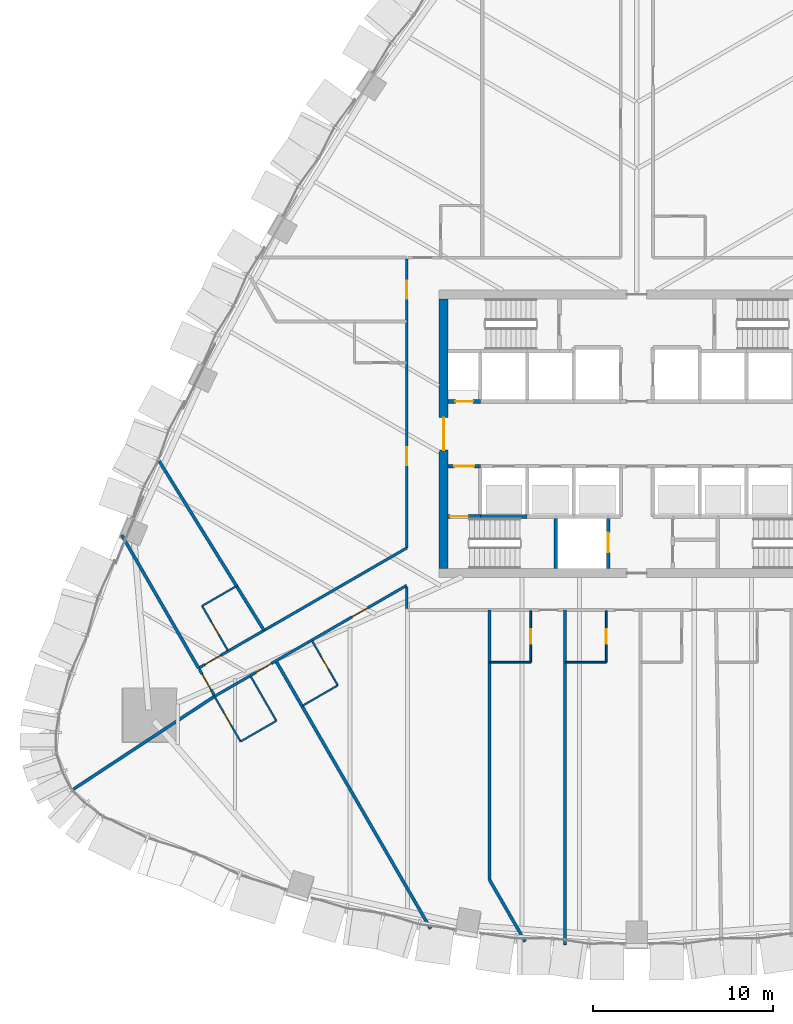
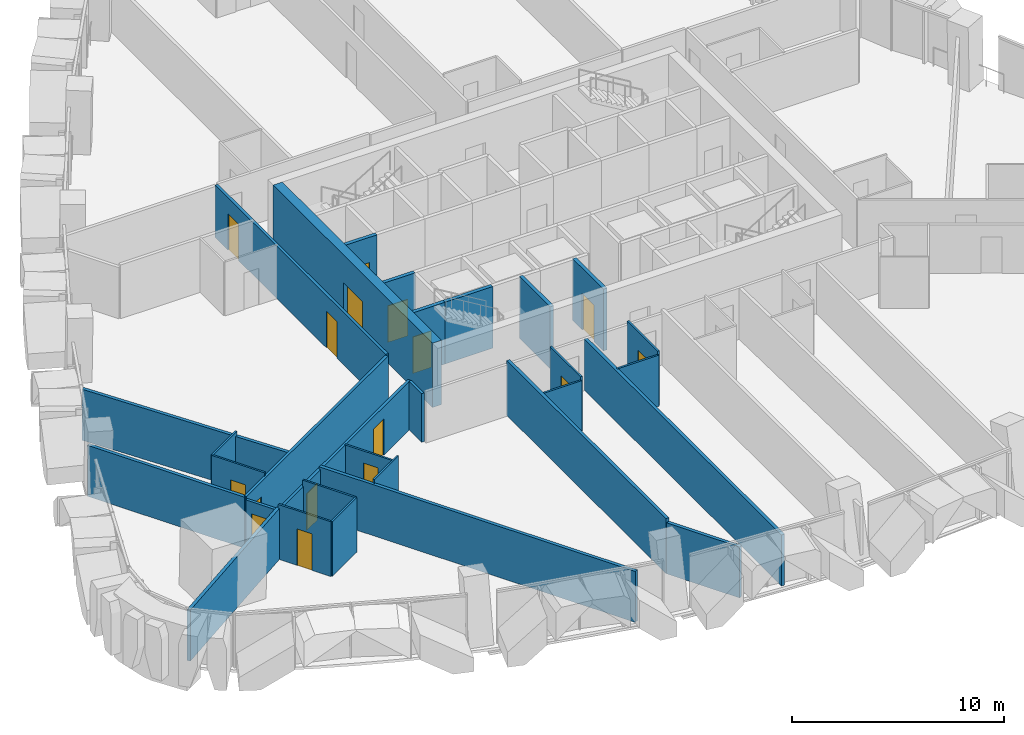
# One storey, part 14 of 23: 30 walls, 16 doors, 16 openings.
"""IFC4 building model written with IfcOpenShell, lengths in metres."""

from ifc_helpers import new_model, si_unit, direction, frame, frame_2d, origin, place, context, subcontext, project, spatial, rectangle, extrude, material, layer, layer_set, type_object, element, fill, save


model = new_model("IFC4")

# Units and contexts
model_context = context("Model", 3, precision=1e-05, world=origin(), true_north=direction((0.0, 1.0)))
body_context = subcontext(model_context, "Body", "Model", "MODEL_VIEW")
ifc_project = project(units=[si_unit("LENGTHUNIT", "METRE"), si_unit("AREAUNIT", "SQUARE_METRE"), si_unit("VOLUMEUNIT", "CUBIC_METRE"), si_unit("PLANEANGLEUNIT", "RADIAN"), si_unit("MASSUNIT", "GRAM", prefix="KILO")], contexts=[model_context])

# Site, building, storey
site_placement = place(None, origin())
site = spatial("IfcSite", under=ifc_project, at=site_placement, CompositionType="ELEMENT")
building_placement = place(site_placement, origin())
building = spatial("IfcBuilding", under=site, at=building_placement, Name="Sierra Prisma Convention Tower", CompositionType="ELEMENT")
storey_placement = place(building_placement, frame((0.0, 0.0, 51.699951171875)))
storey = spatial("IfcBuildingStorey", under=building, at=storey_placement, Name="L08", CompositionType="ELEMENT", Elevation=51.699951171875)

# Walls
ifc_material_1 = material(Name="Gypsum board partition", Category="gypsum")
ifc_layer_1 = layer(ifc_material_1, 0.10009765625)
ifc_layer_set_1 = layer_set([ifc_layer_1], Name="Bathroom partition 100")
wall_type_1 = type_object("IfcWallType", Name="Bathroom partition 100", PredefinedType="PARTITIONING", material=ifc_layer_set_1)
wall_1_placement = place(storey_placement, frame((-21.484619140625, -13.47802734375, 0.0), z_axis=(0.0, 0.0, 1.0), x_axis=(0.499936001555, -0.866062350151, 0.0)))
element("IfcWall", 1, at=wall_1_placement, inside=storey, type_object=wall_type_1, Name="Partition L08 bath 1", PredefinedType="PARTITIONING", context=body_context, shape_type="SweptSolid", body=[
    extrude(rectangle(XDim=2.8701171875, YDim=0.10009765625, at=frame_2d((1.43505859375, 0.0))), origin(), (0.0, 0.0, 1.0), 3.150146484375),
])
wall_2_placement = place(storey_placement, frame((-20.0498046875, -15.963623046875, 0.0), z_axis=(0.0, 0.0, 1.0), x_axis=(-0.86602648383, -0.499998129301, 0.0)))
element("IfcWall", 2, at=wall_2_placement, inside=storey, type_object=wall_type_1, Name="Partition L08 bath 2", PredefinedType="PARTITIONING", context=body_context, shape_type="SweptSolid", body=[
    extrude(rectangle(XDim=2.2998046875, YDim=0.10009765625, at=frame_2d((1.14990234375, 0.0))), origin(), (0.0, 0.0, 1.0), 3.150146484375),
])

# Wall, opening, door
wall_3_placement = place(storey_placement, frame((-22.04150390625, -17.113525390625, 0.0), z_axis=(0.0, 0.0, 1.0), x_axis=(-0.500036638401, 0.866004249561, 0.0)))
wall_3 = element("IfcWall", 3, at=wall_3_placement, inside=storey, type_object=wall_type_1, Name="Partition L08 bath 3", PredefinedType="PARTITIONING", context=body_context, shape_type="SweptSolid", body=[
    extrude(rectangle(XDim=2.869873046875, YDim=0.10009765625, at=frame_2d((1.43505859375, 0.0))), origin(), (0.0, 0.0, 1.0), 3.150146484375),
])
opening_1_placement = place(wall_3_placement, frame((1.034912109375, 0.0, 0.0)))
opening_1 = element("IfcOpeningElement", 4, at=opening_1_placement, cuts=wall_3, Name="Opening L08-D008", PredefinedType="OPENING", context=body_context, shape_type="SweptSolid", body=[
    extrude(rectangle(XDim=0.800048828125, YDim=2.10009765625, at=frame_2d((0.39990234375, 1.050048828125))), frame((0.0, 0.050048828125, 0.0), z_axis=(0.0, -1.0, 0.0), x_axis=(1.0, 0.0, 0.0)), (0.0, 0.0, 1.0), 0.10009765625),
])
ifc_material_2 = material(Name="Solid core timber door leaf", Category="wood")
door_type_1 = type_object("IfcDoorType", Name="Door 800x2100 plain", OperationType="SINGLE_SWING_LEFT", PredefinedType="DOOR", material=ifc_material_2)
door_1_placement = place(opening_1_placement, origin())
door_1 = element("IfcDoor", 5, at=door_1_placement, inside=storey, type_object=door_type_1, Name="Door L08 19", OperationType="SINGLE_SWING_LEFT", OverallHeight=2.10009765625, OverallWidth=0.800048828125, PredefinedType="DOOR", context=body_context, shape_type="SweptSolid", body=[
    extrude(rectangle(XDim=0.800048828125, YDim=2.10009765625, at=frame_2d((0.39990234375, 1.050048828125))), frame((0.0, 0.02490234375, 0.0), z_axis=(0.0, -1.0, 0.0), x_axis=(1.0, 0.0, 0.0)), (0.0, 0.0, 1.0), 0.050048828125),
])
fill(opening_1, door_1)

wall_4_placement = place(storey_placement, frame((-22.743896484375, -12.057373046875, 0.0), z_axis=(0.0, 0.0, 1.0), x_axis=(-0.499936001555, 0.866062350151, 0.0)))
wall_4 = element("IfcWall", 6, at=wall_4_placement, inside=storey, type_object=wall_type_1, Name="Partition L08 bath 4", PredefinedType="PARTITIONING", context=body_context, shape_type="SweptSolid", body=[
    extrude(rectangle(XDim=2.8701171875, YDim=0.10009765625, at=frame_2d((1.43505859375, 0.0))), origin(), (0.0, 0.0, 1.0), 3.150146484375),
])
opening_2_placement = place(wall_4_placement, frame((1.034912109375, 0.0, 0.0)))
opening_2 = element("IfcOpeningElement", 7, at=opening_2_placement, cuts=wall_4, Name="Opening L08-D007", PredefinedType="OPENING", context=body_context, shape_type="SweptSolid", body=[
    extrude(rectangle(XDim=0.800048828125, YDim=2.10009765625, at=frame_2d((0.39990234375, 1.050048828125))), frame((0.0, 0.050048828125, 0.0), z_axis=(0.0, -1.0, 0.0), x_axis=(1.0, 0.0, 0.0)), (0.0, 0.0, 1.0), 0.10009765625),
])
door_2_placement = place(opening_2_placement, origin())
door_2 = element("IfcDoor", 8, at=door_2_placement, inside=storey, type_object=door_type_1, Name="Door L08 16", OperationType="SINGLE_SWING_RIGHT", OverallHeight=2.10009765625, OverallWidth=0.800048828125, PredefinedType="DOOR", context=body_context, shape_type="SweptSolid", body=[
    extrude(rectangle(XDim=0.800048828125, YDim=2.10009765625, at=frame_2d((0.39990234375, 1.050048828125))), frame((0.0, 0.02490234375, 0.0), z_axis=(0.0, -1.0, 0.0), x_axis=(1.0, 0.0, 0.0)), (0.0, 0.0, 1.0), 0.050048828125),
])
fill(opening_2, door_2)

# Wall
wall_5_placement = place(storey_placement, frame((-24.1787109375, -9.57177734375, 0.0), z_axis=(0.0, 0.0, 1.0), x_axis=(0.866017224141, 0.500014167291, 0.0)))
element("IfcWall", 9, at=wall_5_placement, inside=storey, type_object=wall_type_1, Name="Partition L08 bath 5", PredefinedType="PARTITIONING", context=body_context, shape_type="SweptSolid", body=[
    extrude(rectangle(XDim=2.27001953125, YDim=0.10009765625, at=frame_2d((1.135009765625, 0.0))), origin(), (0.0, 0.0, 1.0), 3.150146484375),
])

# Wall, opening, door
wall_6_placement = place(storey_placement, frame((-18.06787109375, -11.50537109375, 0.0), z_axis=(0.0, 0.0, 1.0), x_axis=(0.500036638401, -0.866004249561, 0.0)))
wall_6 = element("IfcWall", 10, at=wall_6_placement, inside=storey, type_object=wall_type_1, Name="Partition L08 bath 6", PredefinedType="PARTITIONING", context=body_context, shape_type="SweptSolid", body=[
    extrude(rectangle(XDim=2.869873046875, YDim=0.10009765625, at=frame_2d((1.43505859375, 0.0))), origin(), (0.0, 0.0, 1.0), 2.797119140625),
])
opening_3_placement = place(wall_6_placement, frame((1.034912109375, 0.0, 0.0)))
opening_3 = element("IfcOpeningElement", 11, at=opening_3_placement, cuts=wall_6, Name="Opening L08-D009", PredefinedType="OPENING", context=body_context, shape_type="SweptSolid", body=[
    extrude(rectangle(XDim=0.800048828125, YDim=2.10009765625, at=frame_2d((0.39990234375, 1.050048828125))), frame((0.0, 0.050048828125, 0.0), z_axis=(0.0, -1.0, 0.0), x_axis=(1.0, 0.0, 0.0)), (0.0, 0.0, 1.0), 0.10009765625),
])
door_3_placement = place(opening_3_placement, origin())
door_3 = element("IfcDoor", 12, at=door_3_placement, inside=storey, type_object=door_type_1, Name="Door L08 21", OperationType="SINGLE_SWING_RIGHT", OverallHeight=2.10009765625, OverallWidth=0.800048828125, PredefinedType="DOOR", context=body_context, shape_type="SweptSolid", body=[
    extrude(rectangle(XDim=0.800048828125, YDim=2.10009765625, at=frame_2d((0.39990234375, 1.050048828125))), frame((0.0, 0.02490234375, 0.0), z_axis=(0.0, -1.0, 0.0), x_axis=(1.0, 0.0, 0.0)), (0.0, 0.0, 1.0), 0.050048828125),
])
fill(opening_3, door_3)

# Wall
wall_7_placement = place(storey_placement, frame((-16.6328125, -13.99072265625, 0.0), z_axis=(0.0, 0.0, 1.0), x_axis=(-0.866017224141, -0.500014167291, 0.0)))
element("IfcWall", 13, at=wall_7_placement, inside=storey, type_object=wall_type_1, Name="Partition L08 bath 7", PredefinedType="PARTITIONING", context=body_context, shape_type="SweptSolid", body=[
    extrude(rectangle(XDim=2.27001953125, YDim=0.10009765625, at=frame_2d((1.135009765625, 0.0))), origin(), (0.0, 0.0, 1.0), 3.150146484375),
])

# Wall, opening, door
wall_8_placement = place(storey_placement, frame((-5.89990234375, -9.830078125, 0.0), z_axis=(0.0, 0.0, 1.0), x_axis=(0.0, -1.0, 0.0)))
wall_8 = element("IfcWall", 14, at=wall_8_placement, inside=storey, type_object=wall_type_1, Name="Partition L08 bath 12", PredefinedType="PARTITIONING", context=body_context, shape_type="SweptSolid", body=[
    extrude(rectangle(XDim=2.869873046875, YDim=0.10009765625, at=frame_2d((1.43505859375, 0.0))), origin(), (0.0, 0.0, 1.0), 3.150146484375),
])
opening_4_placement = place(wall_8_placement, frame((1.034912109375, 0.0, 0.0)))
opening_4 = element("IfcOpeningElement", 15, at=opening_4_placement, cuts=wall_8, Name="Opening L08-D010", PredefinedType="OPENING", context=body_context, shape_type="SweptSolid", body=[
    extrude(rectangle(XDim=0.800048828125, YDim=2.10009765625, at=frame_2d((0.39990234375, 1.050048828125))), frame((0.0, 0.050048828125, 0.0), z_axis=(0.0, -1.0, 0.0), x_axis=(1.0, 0.0, 0.0)), (0.0, 0.0, 1.0), 0.10009765625),
])
door_4_placement = place(opening_4_placement, origin())
door_4 = element("IfcDoor", 16, at=door_4_placement, inside=storey, type_object=door_type_1, Name="Door L08 23", OperationType="SINGLE_SWING_LEFT", OverallHeight=2.10009765625, OverallWidth=0.800048828125, PredefinedType="DOOR", context=body_context, shape_type="SweptSolid", body=[
    extrude(rectangle(XDim=0.800048828125, YDim=2.10009765625, at=frame_2d((0.39990234375, 1.050048828125))), frame((0.0, 0.02490234375, 0.0), z_axis=(0.0, -1.0, 0.0), x_axis=(1.0, 0.0, 0.0)), (0.0, 0.0, 1.0), 0.050048828125),
])
fill(opening_4, door_4)

# Wall
wall_9_placement = place(storey_placement, frame((-5.89990234375, -12.699951171875, 0.0), z_axis=(0.0, 0.0, 1.0), x_axis=(-1.0, 0.0, 0.0)))
element("IfcWall", 17, at=wall_9_placement, inside=storey, type_object=wall_type_1, Name="Partition L08 bath 13", PredefinedType="PARTITIONING", context=body_context, shape_type="SweptSolid", body=[
    extrude(rectangle(XDim=2.27001953125, YDim=0.10009765625, at=frame_2d((1.135009765625, 0.0))), origin(), (0.0, 0.0, 1.0), 2.947021484375),
])

# Wall, opening, door
wall_10_placement = place(storey_placement, frame((-1.699951171875, -9.830078125, 0.0), z_axis=(0.0, 0.0, 1.0), x_axis=(0.0, -1.0, 0.0)))
wall_10 = element("IfcWall", 18, at=wall_10_placement, inside=storey, type_object=wall_type_1, Name="Partition L08 bath 14", PredefinedType="PARTITIONING", context=body_context, shape_type="SweptSolid", body=[
    extrude(rectangle(XDim=2.869873046875, YDim=0.10009765625, at=frame_2d((1.43505859375, 0.0))), origin(), (0.0, 0.0, 1.0), 3.150146484375),
])
opening_5_placement = place(wall_10_placement, frame((1.034912109375, 0.0, 0.0)))
opening_5 = element("IfcOpeningElement", 19, at=opening_5_placement, cuts=wall_10, Name="Opening L08-D011", PredefinedType="OPENING", context=body_context, shape_type="SweptSolid", body=[
    extrude(rectangle(XDim=0.800048828125, YDim=2.10009765625, at=frame_2d((0.39990234375, 1.050048828125))), frame((0.0, 0.050048828125, 0.0), z_axis=(0.0, -1.0, 0.0), x_axis=(1.0, 0.0, 0.0)), (0.0, 0.0, 1.0), 0.10009765625),
])
door_5_placement = place(opening_5_placement, origin())
door_5 = element("IfcDoor", 20, at=door_5_placement, inside=storey, type_object=door_type_1, Name="Door L08 25", OperationType="SINGLE_SWING_LEFT", OverallHeight=2.10009765625, OverallWidth=0.800048828125, PredefinedType="DOOR", context=body_context, shape_type="SweptSolid", body=[
    extrude(rectangle(XDim=0.800048828125, YDim=2.10009765625, at=frame_2d((0.39990234375, 1.050048828125))), frame((0.0, 0.02490234375, 0.0), z_axis=(0.0, -1.0, 0.0), x_axis=(1.0, 0.0, 0.0)), (0.0, 0.0, 1.0), 0.050048828125),
])
fill(opening_5, door_5)

# Wall
wall_11_placement = place(storey_placement, frame((-1.699951171875, -12.699951171875, 0.0), z_axis=(0.0, 0.0, 1.0), x_axis=(-1.0, 0.0, 0.0)))
element("IfcWall", 21, at=wall_11_placement, inside=storey, type_object=wall_type_1, Name="Partition L08 bath 15", PredefinedType="PARTITIONING", context=body_context, shape_type="SweptSolid", body=[
    extrude(rectangle(XDim=2.27001953125, YDim=0.10009765625, at=frame_2d((1.135009765625, 0.0))), origin(), (0.0, 0.0, 1.0), 2.947021484375),
])

# Wall, opening, door
ifc_material_3 = material(Name="Concrete C30/37", Category="concrete")
ifc_layer_2 = layer(ifc_material_3, 0.199951171875)
ifc_layer_set_2 = layer_set([ifc_layer_2], Name="Core wall RC 200 C30/37")
wall_type_2 = type_object("IfcWallType", Name="Core wall RC 200 C30/37", PredefinedType="SOLIDWALL", material=ifc_layer_set_2)
wall_12_placement = place(storey_placement, frame((-10.5, -4.60009765625, 0.0), z_axis=(0.0, 0.0, 1.0), x_axis=(1.0, 0.0, 0.0)))
wall_12 = element("IfcWall", 22, at=wall_12_placement, inside=storey, type_object=wall_type_2, Name="Core wall L08 1", PredefinedType="SOLIDWALL", context=body_context, shape_type="SweptSolid", body=[
    extrude(rectangle(XDim=1.800048828125, YDim=0.199951171875, at=frame_2d((0.89990234375, 0.0))), origin(), (0.0, 0.0, 1.0), 3.550048828125),
])
opening_6_placement = place(wall_12_placement, frame((0.10009765625, 0.0, 0.0)))
opening_6 = element("IfcOpeningElement", 23, at=opening_6_placement, cuts=wall_12, Name="Opening L08-D033", PredefinedType="OPENING", context=body_context, shape_type="SweptSolid", body=[
    extrude(rectangle(XDim=1.0, YDim=2.10009765625, at=frame_2d((0.5, 1.050048828125))), frame((0.0, 0.10009765625, 0.0), z_axis=(0.0, -1.0, 0.0), x_axis=(1.0, 0.0, 0.0)), (0.0, 0.0, 1.0), 0.199951171875),
])
ifc_material_4 = material(Name="Steel fire door leaf", Category="steel")
door_type_2 = type_object("IfcDoorType", Name="Door 1000x2100 FD90S", OperationType="SINGLE_SWING_LEFT", PredefinedType="DOOR", material=ifc_material_4)
door_6_placement = place(opening_6_placement, origin())
door_6 = element("IfcDoor", 24, at=door_6_placement, inside=storey, type_object=door_type_2, Name="Door L08 53", OperationType="SINGLE_SWING_LEFT", OverallHeight=2.10009765625, OverallWidth=1.0, PredefinedType="DOOR", context=body_context, shape_type="SweptSolid", body=[
    extrude(rectangle(XDim=1.0, YDim=2.10009765625, at=frame_2d((0.5, 1.050048828125))), frame((0.0, 0.02490234375, 0.0), z_axis=(0.0, -1.0, 0.0), x_axis=(1.0, 0.0, 0.0)), (0.0, 0.0, 1.0), 0.050048828125),
])
fill(opening_6, door_6)

wall_13_placement = place(storey_placement, frame((-10.5, -1.800048828125, 0.0), z_axis=(0.0, 0.0, 1.0), x_axis=(1.0, 0.0, 0.0)))
wall_13 = element("IfcWall", 25, at=wall_13_placement, inside=storey, type_object=wall_type_2, Name="Core wall L08 2", PredefinedType="SOLIDWALL", context=body_context, shape_type="SweptSolid", body=[
    extrude(rectangle(XDim=1.800048828125, YDim=0.199951171875, at=frame_2d((0.89990234375, 0.0))), origin(), (0.0, 0.0, 1.0), 3.550048828125),
])
opening_7_placement = place(wall_13_placement, frame((0.35009765625, 0.0, 0.0)))
opening_7 = element("IfcOpeningElement", 26, at=opening_7_placement, cuts=wall_13, Name="Opening L08-D027", PredefinedType="OPENING", context=body_context, shape_type="SweptSolid", body=[
    extrude(rectangle(XDim=1.10009765625, YDim=2.10009765625, at=frame_2d((0.550048828125, 1.050048828125))), frame((0.0, 0.10009765625, 0.0), z_axis=(0.0, -1.0, 0.0), x_axis=(1.0, 0.0, 0.0)), (0.0, 0.0, 1.0), 0.199951171875),
])
ifc_material_5 = material(Name="Steel fire door leaf", Category="steel")
door_type_3 = type_object("IfcDoorType", Name="Door 1100x2100 FD90S", OperationType="SINGLE_SWING_LEFT", PredefinedType="DOOR", material=ifc_material_5)
door_7_placement = place(opening_7_placement, origin())
door_7 = element("IfcDoor", 27, at=door_7_placement, inside=storey, type_object=door_type_3, Name="Door L08 47", OperationType="SINGLE_SWING_RIGHT", OverallHeight=2.10009765625, OverallWidth=1.10009765625, PredefinedType="DOOR", context=body_context, shape_type="SweptSolid", body=[
    extrude(rectangle(XDim=1.10009765625, YDim=2.10009765625, at=frame_2d((0.550048828125, 1.050048828125))), frame((0.0, 0.02490234375, 0.0), z_axis=(0.0, -1.0, 0.0), x_axis=(1.0, 0.0, 0.0)), (0.0, 0.0, 1.0), 0.050048828125),
])
fill(opening_7, door_7)

wall_14_placement = place(storey_placement, frame((-8.699951171875, 1.800048828125, 0.0), z_axis=(0.0, 0.0, 1.0), x_axis=(-1.0, 0.0, 0.0)))
wall_14 = element("IfcWall", 28, at=wall_14_placement, inside=storey, type_object=wall_type_2, Name="Core wall L08 3", PredefinedType="SOLIDWALL", context=body_context, shape_type="SweptSolid", body=[
    extrude(rectangle(XDim=1.800048828125, YDim=0.199951171875, at=frame_2d((0.89990234375, 0.0))), origin(), (0.0, 0.0, 1.0), 3.550048828125),
])
opening_8_placement = place(wall_14_placement, frame((0.39990234375, 0.0, 0.0)))
opening_8 = element("IfcOpeningElement", 29, at=opening_8_placement, cuts=wall_14, Name="Opening L08-D031", PredefinedType="OPENING", context=body_context, shape_type="SweptSolid", body=[
    extrude(rectangle(XDim=1.0, YDim=2.10009765625, at=frame_2d((0.5, 1.050048828125))), frame((0.0, 0.10009765625, 0.0), z_axis=(0.0, -1.0, 0.0), x_axis=(1.0, 0.0, 0.0)), (0.0, 0.0, 1.0), 0.199951171875),
])
ifc_material_6 = material(Name="Steel fire door leaf", Category="steel")
door_type_4 = type_object("IfcDoorType", Name="Door 1000x2100 FD60S", OperationType="SINGLE_SWING_LEFT", PredefinedType="DOOR", material=ifc_material_6)
door_8_placement = place(opening_8_placement, origin())
door_8 = element("IfcDoor", 30, at=door_8_placement, inside=storey, type_object=door_type_4, Name="Door L08 51", OperationType="SINGLE_SWING_LEFT", OverallHeight=2.10009765625, OverallWidth=1.0, PredefinedType="DOOR", context=body_context, shape_type="SweptSolid", body=[
    extrude(rectangle(XDim=1.0, YDim=2.10009765625, at=frame_2d((0.5, 1.050048828125))), frame((0.0, 0.02490234375, 0.0), z_axis=(0.0, -1.0, 0.0), x_axis=(1.0, 0.0, 0.0)), (0.0, 0.0, 1.0), 0.050048828125),
])
fill(opening_8, door_8)

# Walls
wall_15_placement = place(storey_placement, frame((-8.699951171875, -4.60009765625, 0.0), z_axis=(0.0, 0.0, 1.0), x_axis=(1.0, 0.0, 0.0)))
element("IfcWall", 31, at=wall_15_placement, inside=storey, type_object=wall_type_2, Name="Core wall L08 5", PredefinedType="SOLIDWALL", context=body_context, shape_type="SweptSolid", body=[
    extrude(rectangle(XDim=2.599853515625, YDim=0.199951171875, at=frame_2d((1.2998046875, 0.0))), origin(), (0.0, 0.0, 1.0), 3.550048828125),
])
wall_16_placement = place(storey_placement, frame((-4.5, -4.60009765625, 0.0), z_axis=(0.0, 0.0, 1.0), x_axis=(0.0, -1.0, 0.0)))
element("IfcWall", 32, at=wall_16_placement, inside=storey, type_object=wall_type_2, Name="Core wall L08 17", PredefinedType="SOLIDWALL", context=body_context, shape_type="SweptSolid", body=[
    extrude(rectangle(XDim=2.89990234375, YDim=0.199951171875, at=frame_2d((1.449951171875, 0.0))), origin(), (0.0, 0.0, 1.0), 3.550048828125),
])

# Wall, opening, door
wall_17_placement = place(storey_placement, frame((-1.60009765625, -7.5, 0.0), z_axis=(0.0, 0.0, 1.0), x_axis=(0.0, 1.0, 0.0)))
wall_17 = element("IfcWall", 33, at=wall_17_placement, inside=storey, type_object=wall_type_2, Name="Core wall L08 29", PredefinedType="SOLIDWALL", context=body_context, shape_type="SweptSolid", body=[
    extrude(rectangle(XDim=2.89990234375, YDim=0.199951171875, at=frame_2d((1.449951171875, 0.0))), origin(), (0.0, 0.0, 1.0), 3.550048828125),
])
opening_9_placement = place(wall_17_placement, frame((0.89990234375, 0.0, 0.0)))
opening_9 = element("IfcOpeningElement", 34, at=opening_9_placement, cuts=wall_17, Name="Opening L08-D026", PredefinedType="OPENING", context=body_context, shape_type="SweptSolid", body=[
    extrude(rectangle(XDim=1.10009765625, YDim=2.10009765625, at=frame_2d((0.550048828125, 1.050048828125))), frame((0.0, 0.10009765625, 0.0), z_axis=(0.0, -1.0, 0.0), x_axis=(1.0, 0.0, 0.0)), (0.0, 0.0, 1.0), 0.199951171875),
])
ifc_material_7 = material(Name="Steel fire door leaf", Category="steel")
door_type_5 = type_object("IfcDoorType", Name="Door 1100x2100 EI 90 sliding lift landing", OperationType="SLIDING_TO_LEFT", PredefinedType="DOOR", material=ifc_material_7)
door_9_placement = place(opening_9_placement, origin())
door_9 = element("IfcDoor", 35, at=door_9_placement, inside=storey, type_object=door_type_5, Name="Door L08 46", OperationType="SLIDING_TO_RIGHT", OverallHeight=2.10009765625, OverallWidth=1.10009765625, PredefinedType="DOOR", context=body_context, shape_type="SweptSolid", body=[
    extrude(rectangle(XDim=1.10009765625, YDim=2.10009765625, at=frame_2d((0.550048828125, 1.050048828125))), frame((0.0, 0.02490234375, 0.0), z_axis=(0.0, -1.0, 0.0), x_axis=(1.0, 0.0, 0.0)), (0.0, 0.0, 1.0), 0.050048828125),
])
fill(opening_9, door_9)

ifc_material_8 = material(Name="Concrete C60/75", Category="concrete")
ifc_layer_3 = layer(ifc_material_8, 0.5)
ifc_layer_set_3 = layer_set([ifc_layer_3], Name="Core wall RC 500 C60/75")
wall_type_3 = type_object("IfcWallType", Name="Core wall RC 500 C60/75", PredefinedType="SHEAR", material=ifc_layer_set_3)
wall_18_placement = place(storey_placement, frame((-10.75, -7.5, 0.0), z_axis=(0.0, 0.0, 1.0), x_axis=(0.0, 1.0, 0.0)))
wall_18 = element("IfcWall", 36, at=wall_18_placement, inside=storey, type_object=wall_type_3, Name="Core wall W L08", PredefinedType="SHEAR", context=body_context, shape_type="SweptSolid", body=[
    extrude(rectangle(XDim=15.0, YDim=0.5, at=frame_2d((7.5, 0.0))), origin(), (0.0, 0.0, 1.0), 3.699951171875),
])
opening_10_placement = place(wall_18_placement, frame((6.60009765625, 0.0, 0.0)))
opening_10 = element("IfcOpeningElement", 37, at=opening_10_placement, cuts=wall_18, Name="Opening L08-D062", PredefinedType="OPENING", context=body_context, shape_type="SweptSolid", body=[
    extrude(rectangle(XDim=1.800048828125, YDim=2.10009765625, at=frame_2d((0.89990234375, 1.050048828125))), frame((0.0, 0.25, 0.0), z_axis=(0.0, -1.0, 0.0), x_axis=(1.0, 0.0, 0.0)), (0.0, 0.0, 1.0), 0.5),
])
ifc_material_9 = material(Name="Steel fire door leaf", Category="steel")
door_type_6 = type_object("IfcDoorType", Name="Door 1800x2100 FD60S", OperationType="DOUBLE_DOOR_SINGLE_SWING", PredefinedType="DOOR", material=ifc_material_9)
door_10_placement = place(opening_10_placement, origin())
door_10 = element("IfcDoor", 38, at=door_10_placement, inside=storey, type_object=door_type_6, Name="Door L08 59", OperationType="DOUBLE_DOOR_SINGLE_SWING", OverallHeight=2.10009765625, OverallWidth=1.800048828125, PredefinedType="DOOR", context=body_context, shape_type="SweptSolid", body=[
    extrude(rectangle(XDim=1.800048828125, YDim=2.10009765625, at=frame_2d((0.89990234375, 1.050048828125))), frame((0.0, 0.02490234375, 0.0), z_axis=(0.0, -1.0, 0.0), x_axis=(1.0, 0.0, 0.0)), (0.0, 0.0, 1.0), 0.050048828125),
])
fill(opening_10, door_10)

ifc_material_10 = material(Name="Gypsum board partition", Category="gypsum")
ifc_layer_4 = layer(ifc_material_10, 0.14990234375)
ifc_layer_set_4 = layer_set([ifc_layer_4], Name="Corridor wall 150 gypsum EI 60")
wall_type_4 = type_object("IfcWallType", Name="Corridor wall 150 gypsum EI 60", PredefinedType="PARTITIONING", material=ifc_layer_set_4)
wall_19_placement = place(storey_placement, frame((-12.800048828125, -6.350830078125, 0.0), z_axis=(0.0, 0.0, 1.0), x_axis=(-0.866025574339, -0.499999704591, 0.0)))
wall_19 = element("IfcWall", 39, at=wall_19_placement, inside=storey, type_object=wall_type_4, Name="Partition L08 corr 1", PredefinedType="PARTITIONING", context=body_context, shape_type="SweptSolid", body=[
    extrude(rectangle(XDim=13.36474609375, YDim=0.14990234375, at=frame_2d((6.682373046875, 0.0))), origin(), (0.0, 0.0, 1.0), 2.947021484375),
])
opening_11_placement = place(wall_19_placement, frame((11.964599609375, 0.0, 0.0)))
opening_11 = element("IfcOpeningElement", 40, at=opening_11_placement, cuts=wall_19, Name="Opening L08-D047", PredefinedType="OPENING", context=body_context, shape_type="SweptSolid", body=[
    extrude(rectangle(XDim=1.0, YDim=2.10009765625, at=frame_2d((0.5, 1.050048828125))), frame((0.0, 0.074951171875, 0.0), z_axis=(0.0, -1.0, 0.0), x_axis=(1.0, 0.0, 0.0)), (0.0, 0.0, 1.0), 0.14990234375),
])
ifc_material_11 = material(Name="Steel fire door leaf", Category="steel")
door_type_7 = type_object("IfcDoorType", Name="Door 1000x2100 FD30S", OperationType="SINGLE_SWING_LEFT", PredefinedType="DOOR", material=ifc_material_11)
door_11_placement = place(opening_11_placement, origin())
door_11 = element("IfcDoor", 41, at=door_11_placement, inside=storey, type_object=door_type_7, Name="Door L08 15", OperationType="SINGLE_SWING_LEFT", OverallHeight=2.10009765625, OverallWidth=1.0, PredefinedType="DOOR", context=body_context, shape_type="SweptSolid", body=[
    extrude(rectangle(XDim=1.0, YDim=2.10009765625, at=frame_2d((0.5, 1.050048828125))), frame((0.0, 0.02490234375, 0.0), z_axis=(0.0, -1.0, 0.0), x_axis=(1.0, 0.0, 0.0)), (0.0, 0.0, 1.0), 0.050048828125),
])
fill(opening_11, door_11)

wall_20_placement = place(storey_placement, frame((-24.334228515625, -13.1025390625, 0.0), z_axis=(0.0, 0.0, 1.0), x_axis=(0.499959641417, -0.86604870357, 0.0)))
wall_20 = element("IfcWall", 42, at=wall_20_placement, inside=storey, type_object=wall_type_4, Name="Partition L08 corr 2", PredefinedType="PARTITIONING", context=body_context, shape_type="SweptSolid", body=[
    extrude(rectangle(XDim=1.663330078125, YDim=0.14990234375, at=frame_2d((0.83154296875, 0.0))), origin(), (0.0, 0.0, 1.0), 2.797119140625),
])
opening_12_placement = place(wall_20_placement, frame((0.31005859375, 0.0, 0.0)))
opening_12 = element("IfcOpeningElement", 43, at=opening_12_placement, cuts=wall_20, Name="Opening L08-D048", PredefinedType="OPENING", context=body_context, shape_type="SweptSolid", body=[
    extrude(rectangle(XDim=1.0, YDim=2.10009765625, at=frame_2d((0.5, 1.050048828125))), frame((0.0, 0.074951171875, 0.0), z_axis=(0.0, -1.0, 0.0), x_axis=(1.0, 0.0, 0.0)), (0.0, 0.0, 1.0), 0.14990234375),
])
door_12_placement = place(opening_12_placement, origin())
door_12 = element("IfcDoor", 44, at=door_12_placement, inside=storey, type_object=door_type_7, Name="Door L08 17", OperationType="SINGLE_SWING_LEFT", OverallHeight=2.10009765625, OverallWidth=1.0, PredefinedType="DOOR", context=body_context, shape_type="SweptSolid", body=[
    extrude(rectangle(XDim=1.0, YDim=2.10009765625, at=frame_2d((0.5, 1.050048828125))), frame((0.0, 0.02490234375, 0.0), z_axis=(0.0, -1.0, 0.0), x_axis=(1.0, 0.0, 0.0)), (0.0, 0.0, 1.0), 0.050048828125),
])
fill(opening_12, door_12)

# Wall, openings, doors
wall_21_placement = place(storey_placement, frame((-23.47412109375, -14.592041015625, 0.0), z_axis=(0.0, 0.0, 1.0), x_axis=(0.866019666699, 0.500009936792, 0.0)))
wall_21 = element("IfcWall", 45, at=wall_21_placement, inside=storey, type_object=wall_type_4, Name="Partition L08 corr 3", PredefinedType="PARTITIONING", context=body_context, shape_type="SweptSolid", body=[
    extrude(rectangle(XDim=12.325439453125, YDim=0.14990234375, at=frame_2d((6.16259765625, 0.0))), origin(), (0.0, 0.0, 1.0), 2.797119140625),
])
opening_13_placement = place(wall_21_placement, frame((2.652587890625, 0.0, 0.0)))
opening_13 = element("IfcOpeningElement", 46, at=opening_13_placement, cuts=wall_21, Name="Opening L08-D049", PredefinedType="OPENING", context=body_context, shape_type="SweptSolid", body=[
    extrude(rectangle(XDim=1.0, YDim=2.10009765625, at=frame_2d((0.5, 1.050048828125))), frame((0.0, 0.074951171875, 0.0), z_axis=(0.0, -1.0, 0.0), x_axis=(1.0, 0.0, 0.0)), (0.0, 0.0, 1.0), 0.14990234375),
])
opening_14_placement = place(wall_21_placement, frame((8.825439453125, 0.0, 0.0)))
opening_14 = element("IfcOpeningElement", 47, at=opening_14_placement, cuts=wall_21, Name="Opening L08-D050", PredefinedType="OPENING", context=body_context, shape_type="SweptSolid", body=[
    extrude(rectangle(XDim=1.0, YDim=2.10009765625, at=frame_2d((0.5, 1.050048828125))), frame((0.0, 0.074951171875, 0.0), z_axis=(0.0, -1.0, 0.0), x_axis=(1.0, 0.0, 0.0)), (0.0, 0.0, 1.0), 0.14990234375),
])
door_13_placement = place(opening_13_placement, origin())
door_13 = element("IfcDoor", 48, at=door_13_placement, inside=storey, type_object=door_type_7, Name="Door L08 18", OperationType="SINGLE_SWING_LEFT", OverallHeight=2.10009765625, OverallWidth=1.0, PredefinedType="DOOR", context=body_context, shape_type="SweptSolid", body=[
    extrude(rectangle(XDim=1.0, YDim=2.10009765625, at=frame_2d((0.5, 1.050048828125))), frame((0.0, 0.02490234375, 0.0), z_axis=(0.0, -1.0, 0.0), x_axis=(1.0, 0.0, 0.0)), (0.0, 0.0, 1.0), 0.050048828125),
])
fill(opening_13, door_13)
door_14_placement = place(opening_14_placement, origin())
door_14 = element("IfcDoor", 49, at=door_14_placement, inside=storey, type_object=door_type_7, Name="Door L08 20", OperationType="SINGLE_SWING_RIGHT", OverallHeight=2.10009765625, OverallWidth=1.0, PredefinedType="DOOR", context=body_context, shape_type="SweptSolid", body=[
    extrude(rectangle(XDim=1.0, YDim=2.10009765625, at=frame_2d((0.5, 1.050048828125))), frame((0.0, 0.02490234375, 0.0), z_axis=(0.0, -1.0, 0.0), x_axis=(1.0, 0.0, 0.0)), (0.0, 0.0, 1.0), 0.050048828125),
])
fill(opening_14, door_14)

# Wall
wall_22_placement = place(storey_placement, frame((-12.800048828125, -8.52099609375, 0.0), z_axis=(0.0, 0.0, 1.0), x_axis=(0.0, -1.0, 0.0)))
element("IfcWall", 50, at=wall_22_placement, inside=storey, type_object=wall_type_4, Name="Partition L08 corr 4", PredefinedType="PARTITIONING", context=body_context, shape_type="SweptSolid", body=[
    extrude(rectangle(XDim=1.198974609375, YDim=0.14990234375, at=frame_2d((0.599609375, 0.0))), origin(), (0.0, 0.0, 1.0), 2.797119140625),
])

# Wall, openings, doors
wall_23_placement = place(storey_placement, frame((-12.800048828125, 9.719970703125, 0.0), z_axis=(0.0, 0.0, 1.0), x_axis=(0.0, -1.0, 0.0)))
wall_23 = element("IfcWall", 51, at=wall_23_placement, inside=storey, type_object=wall_type_4, Name="Partition L08 corr 5", PredefinedType="PARTITIONING", context=body_context, shape_type="SweptSolid", body=[
    extrude(rectangle(XDim=16.07080078125, YDim=0.14990234375, at=frame_2d((8.035400390625, 0.0))), origin(), (0.0, 0.0, 1.0), 3.01708984375),
])
opening_15_placement = place(wall_23_placement, frame((1.1953125, 0.0, 0.0)))
opening_15 = element("IfcOpeningElement", 52, at=opening_15_placement, cuts=wall_23, Name="Opening L08-D045", PredefinedType="OPENING", context=body_context, shape_type="SweptSolid", body=[
    extrude(rectangle(XDim=1.0, YDim=2.10009765625, at=frame_2d((0.5, 1.050048828125))), frame((0.0, 0.074951171875, 0.0), z_axis=(0.0, -1.0, 0.0), x_axis=(1.0, 0.0, 0.0)), (0.0, 0.0, 1.0), 0.14990234375),
])
opening_16_placement = place(wall_23_placement, frame((10.470947265625, 0.0, 0.0)))
opening_16 = element("IfcOpeningElement", 53, at=opening_16_placement, cuts=wall_23, Name="Opening L08-D046", PredefinedType="OPENING", context=body_context, shape_type="SweptSolid", body=[
    extrude(rectangle(XDim=1.0, YDim=2.10009765625, at=frame_2d((0.5, 1.050048828125))), frame((0.0, 0.074951171875, 0.0), z_axis=(0.0, -1.0, 0.0), x_axis=(1.0, 0.0, 0.0)), (0.0, 0.0, 1.0), 0.14990234375),
])
door_15_placement = place(opening_15_placement, origin())
door_15 = element("IfcDoor", 54, at=door_15_placement, inside=storey, type_object=door_type_7, Name="Door L08 12", OperationType="SINGLE_SWING_LEFT", OverallHeight=2.10009765625, OverallWidth=1.0, PredefinedType="DOOR", context=body_context, shape_type="SweptSolid", body=[
    extrude(rectangle(XDim=1.0, YDim=2.10009765625, at=frame_2d((0.5, 1.050048828125))), frame((0.0, 0.02490234375, 0.0), z_axis=(0.0, -1.0, 0.0), x_axis=(1.0, 0.0, 0.0)), (0.0, 0.0, 1.0), 0.050048828125),
])
fill(opening_15, door_15)
door_16_placement = place(opening_16_placement, origin())
door_16 = element("IfcDoor", 55, at=door_16_placement, inside=storey, type_object=door_type_7, Name="Door L08 13", OperationType="SINGLE_SWING_RIGHT", OverallHeight=2.10009765625, OverallWidth=1.0, PredefinedType="DOOR", context=body_context, shape_type="SweptSolid", body=[
    extrude(rectangle(XDim=1.0, YDim=2.10009765625, at=frame_2d((0.5, 1.050048828125))), frame((0.0, 0.02490234375, 0.0), z_axis=(0.0, -1.0, 0.0), x_axis=(1.0, 0.0, 0.0)), (0.0, 0.0, 1.0), 0.050048828125),
])
fill(opening_16, door_16)

# Walls
ifc_material_12 = material(Name="Acoustic gypsum board partition", Category="gypsum")
ifc_layer_5 = layer(ifc_material_12, 0.175048828125)
ifc_layer_set_5 = layer_set([ifc_layer_5], Name="Guest room party wall 175 acoustic EI 60")
wall_type_5 = type_object("IfcWallType", Name="Guest room party wall 175 acoustic EI 60", PredefinedType="PARTITIONING", material=ifc_layer_set_5)
wall_24_placement = place(storey_placement, frame((-31.3447265625, -19.770751953125, 0.0), z_axis=(0.0, 0.0, 1.0), x_axis=(0.835383891016, 0.549666948825, 0.0)))
element("IfcWall", 56, at=wall_24_placement, inside=storey, type_object=wall_type_5, Name="Partition L08 hparty 1", PredefinedType="PARTITIONING", context=body_context, shape_type="SweptSolid", body=[
    extrude(rectangle(XDim=9.421630859375, YDim=0.175048828125, at=frame_2d((4.7109375, 0.0))), origin(), (0.0, 0.0, 1.0), 2.93408203125),
])
wall_25_placement = place(storey_placement, frame((-24.374267578125, -13.033203125, 0.0), z_axis=(0.0, 0.0, 1.0), x_axis=(-0.499992885873, 0.866029511089, 0.0)))
element("IfcWall", 57, at=wall_25_placement, inside=storey, type_object=wall_type_5, Name="Partition L08 hparty 2", PredefinedType="PARTITIONING", context=body_context, shape_type="SweptSolid", body=[
    extrude(rectangle(XDim=8.5439453125, YDim=0.175048828125, at=frame_2d((4.27197265625, 0.0))), origin(), (0.0, 0.0, 1.0), 2.93408203125),
])
wall_26_placement = place(storey_placement, frame((-20.73681640625, -10.93310546875, 0.0), z_axis=(0.0, 0.0, 1.0), x_axis=(-0.526556478625, 0.850140150103, 0.0)))
element("IfcWall", 58, at=wall_26_placement, inside=storey, type_object=wall_type_5, Name="Partition L08 hparty 3", PredefinedType="PARTITIONING", context=body_context, shape_type="SweptSolid", body=[
    extrude(rectangle(XDim=11.074462890625, YDim=0.175048828125, at=frame_2d((5.537109375, 0.0))), origin(), (0.0, 0.0, 1.0), 2.93408203125),
])
wall_27_placement = place(storey_placement, frame((-20.07470703125, -12.62939453125, 0.0), z_axis=(0.0, 0.0, 1.0), x_axis=(0.500011885049, -0.866018541839, 0.0)))
element("IfcWall", 59, at=wall_27_placement, inside=storey, type_object=wall_type_5, Name="Partition L08 hparty 7", PredefinedType="PARTITIONING", context=body_context, shape_type="SweptSolid", body=[
    extrude(rectangle(XDim=17.20751953125, YDim=0.175048828125, at=frame_2d((8.603759765625, 0.0))), origin(), (0.0, 0.0, 1.0), 2.93408203125),
])
wall_28_placement = place(storey_placement, frame((-8.199951171875, -9.800048828125, 0.0), z_axis=(0.0, 0.0, 1.0), x_axis=(0.0, -1.0, 0.0)))
element("IfcWall", 60, at=wall_28_placement, inside=storey, type_object=wall_type_5, Name="Partition L08 hparty 9", PredefinedType="PARTITIONING", context=body_context, shape_type="SweptSolid", body=[
    extrude(rectangle(XDim=14.99658203125, YDim=0.175048828125, at=frame_2d((7.498291015625, 0.0))), origin(), (0.0, 0.0, 1.0), 3.150146484375),
])
wall_29_placement = place(storey_placement, frame((-8.199951171875, -24.796630859375, 0.0), z_axis=(0.0, 0.0, 1.0), x_axis=(0.499984338927, -0.86603444552, 0.0)))
element("IfcWall", 61, at=wall_29_placement, inside=storey, type_object=wall_type_5, Name="Partition L08 hparty 10", PredefinedType="PARTITIONING", context=body_context, shape_type="SweptSolid", body=[
    extrude(rectangle(XDim=3.981201171875, YDim=0.175048828125, at=frame_2d((1.99072265625, 0.0))), origin(), (0.0, 0.0, 1.0), 2.93408203125),
])
wall_30_placement = place(storey_placement, frame((-4.0, -9.800048828125, 0.0), z_axis=(0.0, 0.0, 1.0), x_axis=(0.0, -1.0, 0.0)))
element("IfcWall", 62, at=wall_30_placement, inside=storey, type_object=wall_type_5, Name="Partition L08 hparty 11", PredefinedType="PARTITIONING", context=body_context, shape_type="SweptSolid", body=[
    extrude(rectangle(XDim=18.619873046875, YDim=0.175048828125, at=frame_2d((9.31005859375, 0.0))), origin(), (0.0, 0.0, 1.0), 2.93408203125),
])

save(model, "model.ifc")
